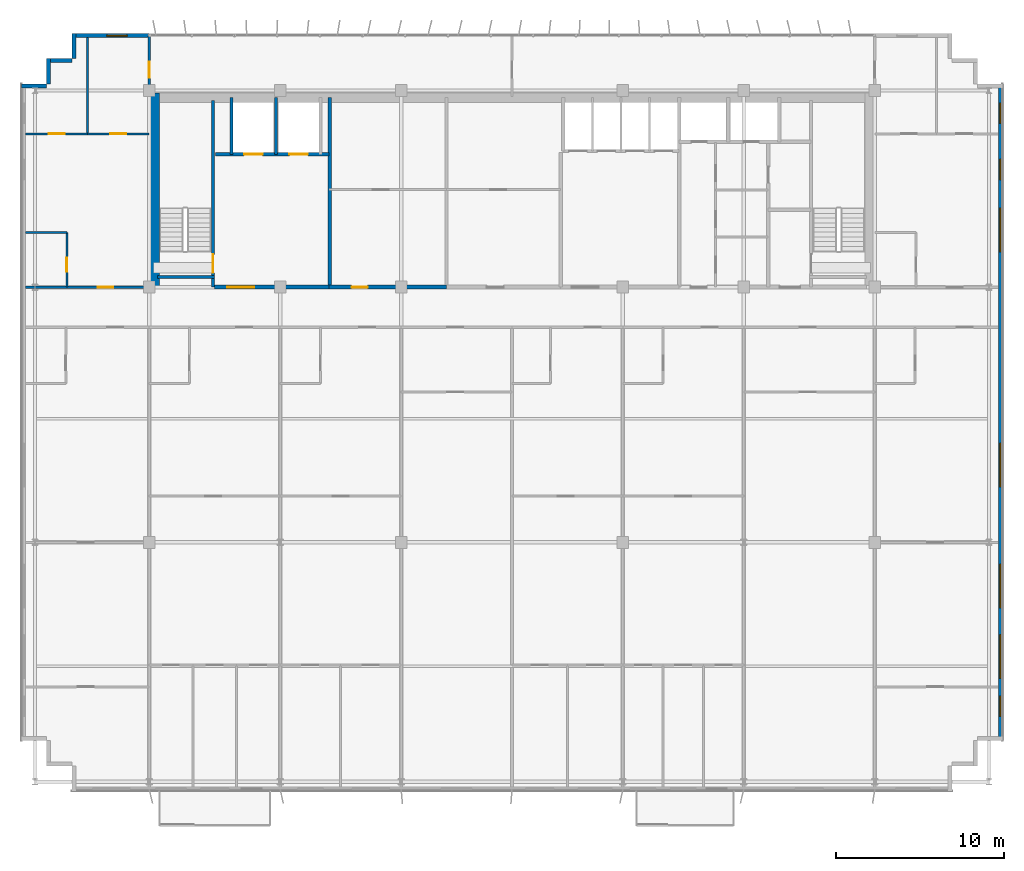
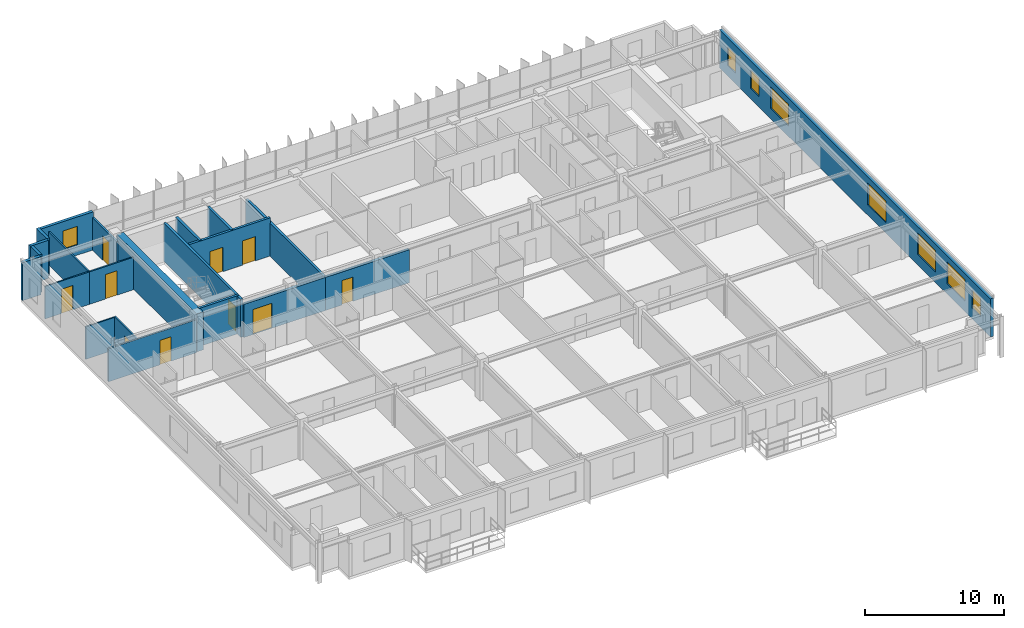
# One storey, part 19 of 23: 22 walls, 10 doors, 8 windows, 18 openings.
"""IFC4 building model written with IfcOpenShell, lengths in metres."""

from ifc_helpers import new_model, si_unit, direction, frame, frame_2d, origin, place, context, subcontext, project, spatial, rectangle, extrude, source, transform, mapped, material, layer, layer_set, type_object, element, fill, save


model = new_model("IFC4")

# Units and contexts
model_context = context("Model", 3, precision=1e-05, world=origin(), true_north=direction((0.0, 1.0)))
body_context = subcontext(model_context, "Body", "Model", "MODEL_VIEW")
ifc_project = project(units=[si_unit("LENGTHUNIT", "METRE"), si_unit("AREAUNIT", "SQUARE_METRE"), si_unit("VOLUMEUNIT", "CUBIC_METRE"), si_unit("PLANEANGLEUNIT", "RADIAN"), si_unit("MASSUNIT", "GRAM", prefix="KILO")], contexts=[model_context])

# Site, building, storey
site_placement = place(None, origin())
site = spatial("IfcSite", under=ifc_project, at=site_placement, CompositionType="ELEMENT")
building_placement = place(site_placement, origin())
building = spatial("IfcBuilding", under=site, at=building_placement, Name="Trelvane Seafront Commons", CompositionType="ELEMENT")
storey_placement = place(building_placement, frame((0.0, 0.0, 222.89990234375)))
storey = spatial("IfcBuildingStorey", under=building, at=storey_placement, Name="L58", CompositionType="ELEMENT", Elevation=222.89990234375)

# Wall, opening, window
ifc_material_1 = material(Name="Precast concrete C40/50", Category="concrete")
ifc_layer_1 = layer(ifc_material_1, 0.239990234375, Name="ARCH-WALL-EXT240")
ifc_layer_set_1 = layer_set([ifc_layer_1], Name="Precast concrete C40/50")
wall_type_1 = type_object("IfcWallType", Name="ARCH-WALL-EXT240", PredefinedType="SOLIDWALL", material=ifc_layer_set_1)
wall_1_placement = place(storey_placement, frame((11.10009765625, 48.3701171875, 0.0), z_axis=(0.0, 0.0, 1.0), x_axis=(1.0, 0.0, 0.0)))
wall_1 = element("IfcWall", 1, at=wall_1_placement, inside=storey, type_object=wall_type_1, Name="EW-L58-NW-1162", PredefinedType="SOLIDWALL", context=body_context, shape_type="SweptSolid", body=[
    extrude(rectangle(XDim=4.5, YDim=0.239990234375, at=frame_2d((2.25, 0.0))), origin(), (0.0, 0.0, 1.0), 3.360107421875),
])
opening_1_placement = place(wall_1_placement, frame((1.98291015625, 0.0, 0.89990234375)))
opening_1 = element("IfcOpeningElement", 2, at=opening_1_placement, cuts=wall_1, Name="Opening W05", PredefinedType="OPENING", context=body_context, shape_type="SweptSolid", body=[
    extrude(rectangle(XDim=1.199951171875, YDim=1.64990234375, at=frame_2d((0.60009765625, 0.824951171875))), frame((0.0, 0.1298828125, 0.0), z_axis=(0.0, -1.0, 0.0), x_axis=(1.0, 0.0, 0.0)), (0.0, 0.0, 1.0), 0.260009765625),
])
ifc_material_2 = material(Name="Low-E coastal double glazing", Category="glass")
window_type_1 = type_object("IfcWindowType", Name="ARCH-WIN-W05", PartitioningType="SINGLE_PANEL", PredefinedType="WINDOW", material=ifc_material_2)
shared_shape_1 = source(origin(), body_context, "Body", "SweptSolid", [
    extrude(rectangle(XDim=1.199951171875, YDim=1.64990234375, at=frame_2d((0.60009765625, 0.824951171875))), frame((0.0, 0.030029296875, 0.0), z_axis=(0.0, -1.0, 0.0), x_axis=(1.0, 0.0, 0.0)), (0.0, 0.0, 1.0), 0.06005859375),
])
window_1_placement = place(opening_1_placement, origin())
window_1 = element("IfcWindow", 3, at=window_1_placement, inside=storey, type_object=window_type_1, Name="WIN-L58-01409", OverallHeight=1.64990234375, OverallWidth=1.199951171875, PartitioningType="SINGLE_PANEL", PredefinedType="WINDOW", context=body_context, shape_type="MappedRepresentation", body=[
    mapped(shared_shape_1, transform((0.0, 0.0, 0.0), x_axis=(1.0, 0.0, 0.0), y_axis=(0.0, 1.0, 0.0), z_axis=(0.0, 0.0, 1.0), scale=1.0)),
])
fill(opening_1, window_1)

# Walls
for number, where, z_axis, x_axis, name in (
    (4, (8.0, 45.3798828125, 0.0), (0.0, 0.0, 1.0), (1.0, 0.0, 0.0), "EW-L58-01168"),
    (5, (9.6201171875, 45.5, 0.0), (0.0, 0.0, 1.0), (0.0, 1.0, 0.0), "EW-L58-01169"),
    (6, (9.5, 46.8798828125, 0.0), (0.0, 0.0, 1.0), (1.0, 0.0, 0.0), "EW-L58-01170"),
    (7, (11.1201171875, 47.0, 0.0), (0.0, 0.0, 1.0), (0.0, 1.0, 0.0), "EW-L58-01171"),
):
    element("IfcWall", number, at=place(storey_placement, frame(where, z_axis=z_axis, x_axis=x_axis)), inside=storey, type_object=wall_type_1, Name=name, PredefinedType="SOLIDWALL", context=body_context, shape_type="SweptSolid", body=[
        extrude(rectangle(XDim=1.5, YDim=0.239990234375, at=frame_2d((0.75, 0.0))), origin(), (0.0, 0.0, 1.0), 3.360107421875),
    ])

# Wall, openings, windows
wall_2_placement = place(storey_placement, frame((66.280029296875, 45.5, 0.0), z_axis=(0.0, 0.0, 1.0), x_axis=(0.0, -1.0, 0.0)))
wall_2 = element("IfcWall", 8, at=wall_2_placement, inside=storey, type_object=wall_type_1, Name="EW-L58-01176", PredefinedType="SOLIDWALL", context=body_context, shape_type="SweptSolid", body=[
    extrude(rectangle(XDim=39.10009765625, YDim=0.239990234375, at=frame_2d((19.550048828125, 0.0))), origin(), (0.0, 0.0, 1.0), 3.360107421875),
])
opening_2_placement = place(wall_2_placement, frame((36.449951171875, 0.0, 0.919921875)))
opening_2 = element("IfcOpeningElement", 9, at=opening_2_placement, cuts=wall_2, Name="Opening W05", PredefinedType="OPENING", context=body_context, shape_type="SweptSolid", body=[
    extrude(rectangle(XDim=1.199951171875, YDim=1.64990234375, at=frame_2d((0.60009765625, 0.824951171875))), frame((0.0, 0.1298828125, 0.0), z_axis=(0.0, -1.0, 0.0), x_axis=(1.0, 0.0, 0.0)), (0.0, 0.0, 1.0), 0.260009765625),
])
opening_3_placement = place(wall_2_placement, frame((32.800048828125, 0.0, 0.919921875)))
opening_3 = element("IfcOpeningElement", 10, at=opening_3_placement, cuts=wall_2, Name="Opening W04", PredefinedType="OPENING", context=body_context, shape_type="SweptSolid", body=[
    extrude(rectangle(XDim=2.60009765625, YDim=1.89990234375, at=frame_2d((1.300048828125, 0.949951171875))), frame((0.0, 0.1298828125, 0.0), z_axis=(0.0, -1.0, 0.0), x_axis=(1.0, 0.0, 0.0)), (0.0, 0.0, 1.0), 0.260009765625),
])
opening_4_placement = place(wall_2_placement, frame((28.60009765625, 0.0, 0.919921875)))
opening_4 = element("IfcOpeningElement", 11, at=opening_4_placement, cuts=wall_2, Name="Opening W04", PredefinedType="OPENING", context=body_context, shape_type="SweptSolid", body=[
    extrude(rectangle(XDim=2.60009765625, YDim=1.89990234375, at=frame_2d((1.300048828125, 0.949951171875))), frame((0.0, 0.1298828125, 0.0), z_axis=(0.0, -1.0, 0.0), x_axis=(1.0, 0.0, 0.0)), (0.0, 0.0, 1.0), 0.260009765625),
])
opening_5_placement = place(wall_2_placement, frame((21.39990234375, 0.0, 0.919921875)))
opening_5 = element("IfcOpeningElement", 12, at=opening_5_placement, cuts=wall_2, Name="Opening W04", PredefinedType="OPENING", context=body_context, shape_type="SweptSolid", body=[
    extrude(rectangle(XDim=2.60009765625, YDim=1.89990234375, at=frame_2d((1.300048828125, 0.949951171875))), frame((0.0, 0.1298828125, 0.0), z_axis=(0.0, -1.0, 0.0), x_axis=(1.0, 0.0, 0.0)), (0.0, 0.0, 1.0), 0.260009765625),
])
opening_6_placement = place(wall_2_placement, frame((7.39990234375, 0.0, 0.919921875)))
opening_6 = element("IfcOpeningElement", 13, at=opening_6_placement, cuts=wall_2, Name="Opening W04", PredefinedType="OPENING", context=body_context, shape_type="SweptSolid", body=[
    extrude(rectangle(XDim=2.60009765625, YDim=1.89990234375, at=frame_2d((1.300048828125, 0.949951171875))), frame((0.0, 0.1298828125, 0.0), z_axis=(0.0, -1.0, 0.0), x_axis=(1.0, 0.0, 0.0)), (0.0, 0.0, 1.0), 0.260009765625),
])
opening_7_placement = place(wall_2_placement, frame((4.5, 0.0, 0.919921875)))
opening_7 = element("IfcOpeningElement", 14, at=opening_7_placement, cuts=wall_2, Name="Opening W05", PredefinedType="OPENING", context=body_context, shape_type="SweptSolid", body=[
    extrude(rectangle(XDim=1.199951171875, YDim=1.64990234375, at=frame_2d((0.60009765625, 0.824951171875))), frame((0.0, 0.1298828125, 0.0), z_axis=(0.0, -1.0, 0.0), x_axis=(1.0, 0.0, 0.0)), (0.0, 0.0, 1.0), 0.260009765625),
])
opening_8_placement = place(wall_2_placement, frame((1.14990234375, 0.0, 0.919921875)))
opening_8 = element("IfcOpeningElement", 15, at=opening_8_placement, cuts=wall_2, Name="Opening W05", PredefinedType="OPENING", context=body_context, shape_type="SweptSolid", body=[
    extrude(rectangle(XDim=1.199951171875, YDim=1.64990234375, at=frame_2d((0.60009765625, 0.824951171875))), frame((0.0, 0.1298828125, 0.0), z_axis=(0.0, -1.0, 0.0), x_axis=(1.0, 0.0, 0.0)), (0.0, 0.0, 1.0), 0.260009765625),
])
window_type_2 = type_object("IfcWindowType", Name="ARCH-WIN-W04", PartitioningType="SINGLE_PANEL", PredefinedType="WINDOW", material=ifc_material_2)
shared_shape_2 = source(origin(), body_context, "Body", "SweptSolid", [
    extrude(rectangle(XDim=2.60009765625, YDim=1.89990234375, at=frame_2d((1.300048828125, 0.949951171875))), frame((0.0, 0.030029296875, 0.0), z_axis=(0.0, -1.0, 0.0), x_axis=(1.0, 0.0, 0.0)), (0.0, 0.0, 1.0), 0.06005859375),
])
window_2_placement = place(opening_3_placement, origin())
window_2 = element("IfcWindow", 16, at=window_2_placement, inside=storey, type_object=window_type_2, Name="WIN-L58-EW-01418", OverallHeight=1.89990234375, OverallWidth=2.60009765625, PartitioningType="SINGLE_PANEL", PredefinedType="WINDOW", context=body_context, shape_type="MappedRepresentation", body=[
    mapped(shared_shape_2, transform((0.0, 0.0, 0.0), x_axis=(1.0, 0.0, 0.0), y_axis=(0.0, 1.0, 0.0), z_axis=(0.0, 0.0, 1.0), scale=1.0)),
])
fill(opening_3, window_2)
window_3_placement = place(opening_4_placement, origin())
window_3 = element("IfcWindow", 17, at=window_3_placement, inside=storey, type_object=window_type_2, Name="WIN-L58-EW-01419", OverallHeight=1.89990234375, OverallWidth=2.60009765625, PartitioningType="SINGLE_PANEL", PredefinedType="WINDOW", context=body_context, shape_type="MappedRepresentation", body=[
    mapped(shared_shape_2, transform((0.0, 0.0, 0.0), x_axis=(1.0, 0.0, 0.0), y_axis=(0.0, 1.0, 0.0), z_axis=(0.0, 0.0, 1.0), scale=1.0)),
])
fill(opening_4, window_3)
window_4_placement = place(opening_5_placement, origin())
window_4 = element("IfcWindow", 18, at=window_4_placement, inside=storey, type_object=window_type_2, Name="WIN-L58-EW-01420", OverallHeight=1.89990234375, OverallWidth=2.60009765625, PartitioningType="SINGLE_PANEL", PredefinedType="WINDOW", context=body_context, shape_type="MappedRepresentation", body=[
    mapped(shared_shape_2, transform((0.0, 0.0, 0.0), x_axis=(1.0, 0.0, 0.0), y_axis=(0.0, 1.0, 0.0), z_axis=(0.0, 0.0, 1.0), scale=1.0)),
])
fill(opening_5, window_4)
window_5_placement = place(opening_6_placement, origin())
window_5 = element("IfcWindow", 19, at=window_5_placement, inside=storey, type_object=window_type_2, Name="WIN-L58-EW-01421", OverallHeight=1.89990234375, OverallWidth=2.60009765625, PartitioningType="SINGLE_PANEL", PredefinedType="WINDOW", context=body_context, shape_type="MappedRepresentation", body=[
    mapped(shared_shape_2, transform((0.0, 0.0, 0.0), x_axis=(1.0, 0.0, 0.0), y_axis=(0.0, 1.0, 0.0), z_axis=(0.0, 0.0, 1.0), scale=1.0)),
])
fill(opening_6, window_5)
window_6_placement = place(opening_2_placement, origin())
window_6 = element("IfcWindow", 20, at=window_6_placement, inside=storey, type_object=window_type_1, Name="WIN-L58-EW-01417", OverallHeight=1.64990234375, OverallWidth=1.199951171875, PartitioningType="SINGLE_PANEL", PredefinedType="WINDOW", context=body_context, shape_type="MappedRepresentation", body=[
    mapped(shared_shape_1, transform((0.0, 0.0, 0.0), x_axis=(1.0, 0.0, 0.0), y_axis=(0.0, 1.0, 0.0), z_axis=(0.0, 0.0, 1.0), scale=1.0)),
])
fill(opening_2, window_6)
window_7_placement = place(opening_7_placement, origin())
window_7 = element("IfcWindow", 21, at=window_7_placement, inside=storey, type_object=window_type_1, Name="WIN-L58-EW-01422", OverallHeight=1.64990234375, OverallWidth=1.199951171875, PartitioningType="SINGLE_PANEL", PredefinedType="WINDOW", context=body_context, shape_type="MappedRepresentation", body=[
    mapped(shared_shape_1, transform((0.0, 0.0, 0.0), x_axis=(1.0, 0.0, 0.0), y_axis=(0.0, 1.0, 0.0), z_axis=(0.0, 0.0, 1.0), scale=1.0)),
])
fill(opening_7, window_7)
window_8_placement = place(opening_8_placement, origin())
window_8 = element("IfcWindow", 22, at=window_8_placement, inside=storey, type_object=window_type_1, Name="WIN-L58-EW-01423", OverallHeight=1.64990234375, OverallWidth=1.199951171875, PartitioningType="SINGLE_PANEL", PredefinedType="WINDOW", context=body_context, shape_type="MappedRepresentation", body=[
    mapped(shared_shape_1, transform((0.0, 0.0, 0.0), x_axis=(1.0, 0.0, 0.0), y_axis=(0.0, 1.0, 0.0), z_axis=(0.0, 0.0, 1.0), scale=1.0)),
])
fill(opening_8, window_8)

# Wall, opening, door
ifc_material_3 = material(Name="Concrete C40/50", Category="concrete")
ifc_layer_2 = layer(ifc_material_3, 0.25, Name="ARCH-WALL-FIRE250")
ifc_layer_set_2 = layer_set([ifc_layer_2], Name="Concrete C40/50")
wall_type_2 = type_object("IfcWallType", Name="ARCH-WALL-FIRE250", PredefinedType="PARTITIONING", material=ifc_layer_set_2)
wall_3_placement = place(storey_placement, frame((19.5, 33.39990234375, 0.0), z_axis=(0.0, 0.0, 1.0), x_axis=(1.0, 0.0, 0.0)))
wall_3 = element("IfcWall", 23, at=wall_3_placement, inside=storey, type_object=wall_type_2, Name="W-L58-CS-FFL-013", PredefinedType="PARTITIONING", context=body_context, shape_type="SweptSolid", body=[
    extrude(rectangle(XDim=6.800048828125, YDim=0.25, at=frame_2d((3.39990234375, 0.0))), origin(), (0.0, 0.0, 1.0), 2.91015625),
])
opening_9_placement = place(wall_3_placement, frame((0.75, 0.0, 0.0)))
opening_9 = element("IfcOpeningElement", 24, at=opening_9_placement, cuts=wall_3, Name="Opening FD-L58-05", PredefinedType="OPENING", context=body_context, shape_type="SweptSolid", body=[
    extrude(rectangle(XDim=1.60009765625, YDim=2.199951171875, at=frame_2d((0.800048828125, 1.10009765625))), frame((0.0, 0.135009765625, 0.0), z_axis=(0.0, -1.0, 0.0), x_axis=(1.0, 0.0, 0.0)), (0.0, 0.0, 1.0), 0.27001953125),
])
ifc_material_4 = material(Name="Powder-coated aluminium frame", Category="aluminium")
door_type_1 = type_object("IfcDoorType", Name="ARCH-DR-FD60-1600", OperationType="DOUBLE_DOOR_SINGLE_SWING", PredefinedType="DOOR", material=ifc_material_4)
shared_shape_3 = source(origin(), body_context, "Body", "SweptSolid", [
    extrude(rectangle(XDim=1.60009765625, YDim=2.199951171875, at=frame_2d((0.800048828125, 1.10009765625))), frame((0.0, 0.02490234375, 0.0), z_axis=(0.0, -1.0, 0.0), x_axis=(1.0, 0.0, 0.0)), (0.0, 0.0, 1.0), 0.050048828125),
])
door_1_placement = place(opening_9_placement, origin())
door_1 = element("IfcDoor", 25, at=door_1_placement, inside=storey, type_object=door_type_1, Name="L58 Firefighting Lift Lobby Double Fire Door", OperationType="DOUBLE_DOOR_SINGLE_SWING", OverallHeight=2.199951171875, OverallWidth=1.60009765625, PredefinedType="DOOR", context=body_context, shape_type="MappedRepresentation", body=[
    mapped(shared_shape_3, transform((0.0, 0.0, 0.0), x_axis=(1.0, 0.0, 0.0), y_axis=(0.0, 1.0, 0.0), z_axis=(0.0, 0.0, 1.0), scale=1.0)),
])
fill(opening_9, door_1)

wall_4_placement = place(storey_placement, frame((26.300048828125, 33.39990234375, 0.0), z_axis=(0.0, 0.0, 1.0), x_axis=(1.0, 0.0, 0.0)))
wall_4 = element("IfcWall", 26, at=wall_4_placement, inside=storey, type_object=wall_type_2, Name="W-L58-CS-FPL-024", PredefinedType="PARTITIONING", context=body_context, shape_type="SweptSolid", body=[
    extrude(rectangle(XDim=7.0, YDim=0.25, at=frame_2d((3.5, 0.0))), origin(), (0.0, 0.0, 1.0), 2.91015625),
])
opening_10_placement = place(wall_4_placement, frame((1.35009765625, 0.0, 0.0)))
opening_10 = element("IfcOpeningElement", 27, at=opening_10_placement, cuts=wall_4, Name="Opening D-L58-12", PredefinedType="OPENING", context=body_context, shape_type="SweptSolid", body=[
    extrude(rectangle(XDim=0.949951171875, YDim=2.14990234375, at=frame_2d((0.47509765625, 1.074951171875))), frame((0.0, 0.135009765625, 0.0), z_axis=(0.0, -1.0, 0.0), x_axis=(1.0, 0.0, 0.0)), (0.0, 0.0, 1.0), 0.27001953125),
])
ifc_material_5 = material(Name="Acoustic timber door leaf", Category="wood")
door_type_2 = type_object("IfcDoorType", Name="ARCH-DR-INT950", OperationType="NOTDEFINED", PredefinedType="DOOR", material=ifc_material_5)
shared_shape_4 = source(origin(), body_context, "Body", "SweptSolid", [
    extrude(rectangle(XDim=0.949951171875, YDim=2.14990234375, at=frame_2d((0.47509765625, 1.074951171875))), frame((0.0, 0.02490234375, 0.0), z_axis=(0.0, -1.0, 0.0), x_axis=(1.0, 0.0, 0.0)), (0.0, 0.0, 1.0), 0.050048828125),
])
door_2_placement = place(opening_10_placement, origin())
door_2 = element("IfcDoor", 28, at=door_2_placement, inside=storey, type_object=door_type_2, Name="L58 Floor Pantry Entrance Door", OperationType="SINGLE_SWING_RIGHT", OverallHeight=2.14990234375, OverallWidth=0.949951171875, PredefinedType="DOOR", context=body_context, shape_type="MappedRepresentation", body=[
    mapped(shared_shape_4, transform((0.0, 0.0, 0.0), x_axis=(1.0, 0.0, 0.0), y_axis=(0.0, 1.0, 0.0), z_axis=(0.0, 0.0, 1.0), scale=1.0)),
])
fill(opening_10, door_2)

ifc_material_6 = material(Name="Gypsum Drywall Acoustic Partition")
ifc_layer_3 = layer(ifc_material_6, 0.1201171875, Name="ARCH-WALL-PART120")
ifc_layer_set_3 = layer_set([ifc_layer_3], Name="Gypsum Drywall Acoustic Partition")
wall_type_3 = type_object("IfcWallType", Name="ARCH-WALL-PART120", PredefinedType="PARTITIONING", material=ifc_layer_set_3)
wall_5_placement = place(storey_placement, frame((10.699951171875, 33.39990234375, 0.0), z_axis=(0.0, 0.0, 1.0), x_axis=(0.0, 1.0, 0.0)))
wall_5 = element("IfcWall", 29, at=wall_5_placement, inside=storey, type_object=wall_type_3, Name="W-L58-NW-BE-036", PredefinedType="PARTITIONING", context=body_context, shape_type="SweptSolid", body=[
    extrude(rectangle(XDim=3.25, YDim=0.1201171875, at=frame_2d((1.625, 0.0))), origin(), (0.0, 0.0, 1.0), 2.91015625),
])
opening_11_placement = place(wall_5_placement, frame((0.89990234375, 0.0, 0.0)))
opening_11 = element("IfcOpeningElement", 30, at=opening_11_placement, cuts=wall_5, Name="Opening D-L58-23", PredefinedType="OPENING", context=body_context, shape_type="SweptSolid", body=[
    extrude(rectangle(XDim=0.85009765625, YDim=2.10009765625, at=frame_2d((0.425048828125, 1.050048828125))), frame((0.0, 0.070068359375, 0.0), z_axis=(0.0, -1.0, 0.0), x_axis=(1.0, 0.0, 0.0)), (0.0, 0.0, 1.0), 0.14013671875),
])
door_type_3 = type_object("IfcDoorType", Name="ARCH-DR-INT850", OperationType="NOTDEFINED", PredefinedType="DOOR", material=ifc_material_5)
shared_shape_5 = source(origin(), body_context, "Body", "SweptSolid", [
    extrude(rectangle(XDim=0.85009765625, YDim=2.10009765625, at=frame_2d((0.425048828125, 1.050048828125))), frame((0.0, 0.02490234375, 0.0), z_axis=(0.0, -1.0, 0.0), x_axis=(1.0, 0.0, 0.0)), (0.0, 0.0, 1.0), 0.050048828125),
])
door_3_placement = place(opening_11_placement, origin())
door_3 = element("IfcDoor", 31, at=door_3_placement, inside=storey, type_object=door_type_3, Name="L58 Door 23", OperationType="SINGLE_SWING_LEFT", OverallHeight=2.10009765625, OverallWidth=0.85009765625, PredefinedType="DOOR", context=body_context, shape_type="MappedRepresentation", body=[
    mapped(shared_shape_5, transform((0.0, 0.0, 0.0), x_axis=(1.0, 0.0, 0.0), y_axis=(0.0, 1.0, 0.0), z_axis=(0.0, 0.0, 1.0), scale=1.0)),
])
fill(opening_11, door_3)

# Wall
wall_6_placement = place(storey_placement, frame((8.25, 36.64990234375, 0.0), z_axis=(0.0, 0.0, 1.0), x_axis=(1.0, 0.0, 0.0)))
element("IfcWall", 32, at=wall_6_placement, inside=storey, type_object=wall_type_3, Name="W-L58-NW-BN-037", PredefinedType="PARTITIONING", context=body_context, shape_type="SweptSolid", body=[
    extrude(rectangle(XDim=2.449951171875, YDim=0.1201171875, at=frame_2d((1.22509765625, 0.0))), origin(), (0.0, 0.0, 1.0), 2.860107421875),
])

# Wall, opening, door
wall_7_placement = place(storey_placement, frame((8.25, 42.52001953125, 0.0), z_axis=(0.0, 0.0, 1.0), x_axis=(1.0, 0.0, 0.0)))
wall_7 = element("IfcWall", 33, at=wall_7_placement, inside=storey, type_object=wall_type_3, Name="W-L58-NW-KB1-038", PredefinedType="PARTITIONING", context=body_context, shape_type="SweptSolid", body=[
    extrude(rectangle(XDim=3.675048828125, YDim=0.1201171875, at=frame_2d((1.83740234375, 0.0))), origin(), (0.0, 0.0, 1.0), 2.860107421875),
])
opening_12_placement = place(wall_7_placement, frame((1.363037109375, 0.0, 0.0)))
opening_12 = element("IfcOpeningElement", 34, at=opening_12_placement, cuts=wall_7, Name="Opening D-L58-24", PredefinedType="OPENING", context=body_context, shape_type="SweptSolid", body=[
    extrude(rectangle(XDim=0.949951171875, YDim=2.14990234375, at=frame_2d((0.47509765625, 1.074951171875))), frame((0.0, 0.070068359375, 0.0), z_axis=(0.0, -1.0, 0.0), x_axis=(1.0, 0.0, 0.0)), (0.0, 0.0, 1.0), 0.14013671875),
])
door_4_placement = place(opening_12_placement, origin())
door_4 = element("IfcDoor", 35, at=door_4_placement, inside=storey, type_object=door_type_2, Name="L58 Door 24", OperationType="SINGLE_SWING_RIGHT", OverallHeight=2.14990234375, OverallWidth=0.949951171875, PredefinedType="DOOR", context=body_context, shape_type="MappedRepresentation", body=[
    mapped(shared_shape_4, transform((0.0, 0.0, 0.0), x_axis=(1.0, 0.0, 0.0), y_axis=(0.0, 1.0, 0.0), z_axis=(0.0, 0.0, 1.0), scale=1.0)),
])
fill(opening_12, door_4)

wall_8_placement = place(storey_placement, frame((11.925048828125, 42.52001953125, 0.0), z_axis=(0.0, 0.0, 1.0), x_axis=(1.0, 0.0, 0.0)))
wall_8 = element("IfcWall", 36, at=wall_8_placement, inside=storey, type_object=wall_type_3, Name="W-L58-NW-KB2-039", PredefinedType="PARTITIONING", context=body_context, shape_type="SweptSolid", body=[
    extrude(rectangle(XDim=3.675048828125, YDim=0.1201171875, at=frame_2d((1.83740234375, 0.0))), origin(), (0.0, 0.0, 1.0), 2.860107421875),
])
opening_13_placement = place(wall_8_placement, frame((1.362060546875, 0.0, 0.0)))
opening_13 = element("IfcOpeningElement", 37, at=opening_13_placement, cuts=wall_8, Name="Opening D-L58-25", PredefinedType="OPENING", context=body_context, shape_type="SweptSolid", body=[
    extrude(rectangle(XDim=0.949951171875, YDim=2.14990234375, at=frame_2d((0.47509765625, 1.074951171875))), frame((0.0, 0.070068359375, 0.0), z_axis=(0.0, -1.0, 0.0), x_axis=(1.0, 0.0, 0.0)), (0.0, 0.0, 1.0), 0.14013671875),
])
door_5_placement = place(opening_13_placement, origin())
door_5 = element("IfcDoor", 38, at=door_5_placement, inside=storey, type_object=door_type_2, Name="L58 Door 25", OperationType="SINGLE_SWING_LEFT", OverallHeight=2.14990234375, OverallWidth=0.949951171875, PredefinedType="DOOR", context=body_context, shape_type="MappedRepresentation", body=[
    mapped(shared_shape_4, transform((0.0, 0.0, 0.0), x_axis=(1.0, 0.0, 0.0), y_axis=(0.0, 1.0, 0.0), z_axis=(0.0, 0.0, 1.0), scale=1.0)),
])
fill(opening_13, door_5)

# Wall
wall_9_placement = place(storey_placement, frame((11.925048828125, 42.52001953125, 0.0), z_axis=(0.0, 0.0, 1.0), x_axis=(0.0, 1.0, 0.0)))
element("IfcWall", 39, at=wall_9_placement, inside=storey, type_object=wall_type_3, Name="W-L58-NW-KBDV-040", PredefinedType="PARTITIONING", context=body_context, shape_type="SweptSolid", body=[
    extrude(rectangle(XDim=5.739990234375, YDim=0.1201171875, at=frame_2d((2.8701171875, 0.0))), origin(), (0.0, 0.0, 1.0), 2.91015625),
])

# Wall, opening, door
ifc_layer_4 = layer(ifc_material_6, 0.14990234375, Name="ARCH-WALL-PART150")
ifc_layer_set_4 = layer_set([ifc_layer_4], Name="Gypsum Drywall Acoustic Partition")
wall_type_4 = type_object("IfcWallType", Name="ARCH-WALL-PART150", PredefinedType="PARTITIONING", material=ifc_layer_set_4)
wall_10_placement = place(storey_placement, frame((8.25, 33.39990234375, 0.0), z_axis=(0.0, 0.0, 1.0), x_axis=(1.0, 0.0, 0.0)))
wall_10 = element("IfcWall", 40, at=wall_10_placement, inside=storey, type_object=wall_type_4, Name="W-L58-NW-ENT-041", PredefinedType="PARTITIONING", context=body_context, shape_type="SweptSolid", body=[
    extrude(rectangle(XDim=7.35009765625, YDim=0.14990234375, at=frame_2d((3.675048828125, 0.0))), origin(), (0.0, 0.0, 1.0), 2.91015625),
])
opening_14_placement = place(wall_10_placement, frame((4.27490234375, 0.0, 0.0)))
opening_14 = element("IfcOpeningElement", 41, at=opening_14_placement, cuts=wall_10, Name="Opening FD-L58-26", PredefinedType="OPENING", context=body_context, shape_type="SweptSolid", body=[
    extrude(rectangle(XDim=0.949951171875, YDim=2.14990234375, at=frame_2d((0.47509765625, 1.074951171875))), frame((0.0, 0.0849609375, 0.0), z_axis=(0.0, -1.0, 0.0), x_axis=(1.0, 0.0, 0.0)), (0.0, 0.0, 1.0), 0.169921875),
])
door_type_4 = type_object("IfcDoorType", Name="ARCH-DR-FD60-950", OperationType="NOTDEFINED", PredefinedType="DOOR", material=ifc_material_4)
door_6_placement = place(opening_14_placement, origin())
door_6 = element("IfcDoor", 42, at=door_6_placement, inside=storey, type_object=door_type_4, Name="L58 NW Flat Entrance Door", OperationType="SINGLE_SWING_RIGHT", OverallHeight=2.14990234375, OverallWidth=0.949951171875, PredefinedType="DOOR", context=body_context, shape_type="MappedRepresentation", body=[
    mapped(shared_shape_4, transform((0.0, 0.0, 0.0), x_axis=(1.0, 0.0, 0.0), y_axis=(0.0, 1.0, 0.0), z_axis=(0.0, 0.0, 1.0), scale=1.0)),
])
fill(opening_14, door_6)

wall_11_placement = place(storey_placement, frame((15.60009765625, 44.75, 0.0), z_axis=(0.0, 0.0, 1.0), x_axis=(0.0, 1.0, 0.0)))
wall_11 = element("IfcWall", 43, at=wall_11_placement, inside=storey, type_object=wall_type_4, Name="W-L58-N-LINK-W-049", PredefinedType="PARTITIONING", context=body_context, shape_type="SweptSolid", body=[
    extrude(rectangle(XDim=3.610107421875, YDim=0.14990234375, at=frame_2d((1.80517578125, 0.0))), origin(), (0.0, 0.0, 1.0), 2.860107421875),
])
opening_15_placement = place(wall_11_placement, frame((1.10009765625, 0.0, 0.0)))
opening_15 = element("IfcOpeningElement", 44, at=opening_15_placement, cuts=wall_11, Name="Opening FD-L58-32", PredefinedType="OPENING", context=body_context, shape_type="SweptSolid", body=[
    extrude(rectangle(XDim=0.949951171875, YDim=2.14990234375, at=frame_2d((0.47509765625, 1.074951171875))), frame((0.0, 0.0849609375, 0.0), z_axis=(0.0, -1.0, 0.0), x_axis=(1.0, 0.0, 0.0)), (0.0, 0.0, 1.0), 0.169921875),
])
door_7_placement = place(opening_15_placement, origin())
door_7 = element("IfcDoor", 45, at=door_7_placement, inside=storey, type_object=door_type_4, Name="L58 Door 32", OperationType="SINGLE_SWING_RIGHT", OverallHeight=2.14990234375, OverallWidth=0.949951171875, PredefinedType="DOOR", context=body_context, shape_type="MappedRepresentation", body=[
    mapped(shared_shape_4, transform((0.0, 0.0, 0.0), x_axis=(1.0, 0.0, 0.0), y_axis=(0.0, 1.0, 0.0), z_axis=(0.0, 0.0, 1.0), scale=1.0)),
])
fill(opening_15, door_7)

# Wall, openings, doors
ifc_layer_5 = layer(ifc_material_3, 0.199951171875, Name="ARCH-WALL-SHAFT200")
ifc_layer_set_5 = layer_set([ifc_layer_5], Name="Concrete C40/50")
wall_type_5 = type_object("IfcWallType", Name="ARCH-WALL-SHAFT200", PredefinedType="SOLIDWALL", material=ifc_layer_set_5)
wall_12_placement = place(storey_placement, frame((19.550048828125, 41.300048828125, 0.0), z_axis=(0.0, 0.0, 1.0), x_axis=(1.0, 0.0, 0.0)))
wall_12 = element("IfcWall", 46, at=wall_12_placement, inside=storey, type_object=wall_type_5, Name="W-L58-FFL-FRONT-008", PredefinedType="SOLIDWALL", context=body_context, shape_type="SweptSolid", body=[
    extrude(rectangle(XDim=6.75, YDim=0.199951171875, at=frame_2d((3.375, 0.0))), origin(), (0.0, 0.0, 1.0), 3.360107421875),
])
opening_16_placement = place(wall_12_placement, frame((1.699951171875, 0.0, 0.0)))
opening_16 = element("IfcOpeningElement", 47, at=opening_16_placement, cuts=wall_12, Name="Opening LD-FF1-L58", PredefinedType="OPENING", context=body_context, shape_type="SweptSolid", body=[
    extrude(rectangle(XDim=1.10009765625, YDim=2.14990234375, at=frame_2d((0.550048828125, 1.074951171875))), frame((0.0, 0.10986328125, 0.0), z_axis=(0.0, -1.0, 0.0), x_axis=(1.0, 0.0, 0.0)), (0.0, 0.0, 1.0), 0.219970703125),
])
opening_17_placement = place(wall_12_placement, frame((4.39990234375, 0.0, 0.0)))
opening_17 = element("IfcOpeningElement", 48, at=opening_17_placement, cuts=wall_12, Name="Opening LD-FF2-L58", PredefinedType="OPENING", context=body_context, shape_type="SweptSolid", body=[
    extrude(rectangle(XDim=1.10009765625, YDim=2.14990234375, at=frame_2d((0.550048828125, 1.074951171875))), frame((0.0, 0.10986328125, 0.0), z_axis=(0.0, -1.0, 0.0), x_axis=(1.0, 0.0, 0.0)), (0.0, 0.0, 1.0), 0.219970703125),
])
ifc_material_7 = material(Name="Stainless steel balustrade", Category="steel")
door_type_5 = type_object("IfcDoorType", Name="ARCH-DR-LD1100", OperationType="DOUBLE_DOOR_SLIDING", PredefinedType="DOOR", material=ifc_material_7)
shared_shape_6 = source(origin(), body_context, "Body", "SweptSolid", [
    extrude(rectangle(XDim=1.10009765625, YDim=2.14990234375, at=frame_2d((0.550048828125, 1.074951171875))), frame((0.0, 0.02490234375, 0.0), z_axis=(0.0, -1.0, 0.0), x_axis=(1.0, 0.0, 0.0)), (0.0, 0.0, 1.0), 0.050048828125),
])
door_8_placement = place(opening_16_placement, origin())
door_8 = element("IfcDoor", 49, at=door_8_placement, inside=storey, type_object=door_type_5, Name="L58 Firefighting Lift FFL-1 Landing Door", OperationType="DOUBLE_DOOR_SLIDING", OverallHeight=2.14990234375, OverallWidth=1.10009765625, PredefinedType="DOOR", context=body_context, shape_type="MappedRepresentation", body=[
    mapped(shared_shape_6, transform((0.0, 0.0, 0.0), x_axis=(1.0, 0.0, 0.0), y_axis=(0.0, 1.0, 0.0), z_axis=(0.0, 0.0, 1.0), scale=1.0)),
])
fill(opening_16, door_8)
door_9_placement = place(opening_17_placement, origin())
door_9 = element("IfcDoor", 50, at=door_9_placement, inside=storey, type_object=door_type_5, Name="L58 Firefighting Lift FFL-2 Landing Door", OperationType="DOUBLE_DOOR_SLIDING", OverallHeight=2.14990234375, OverallWidth=1.10009765625, PredefinedType="DOOR", context=body_context, shape_type="MappedRepresentation", body=[
    mapped(shared_shape_6, transform((0.0, 0.0, 0.0), x_axis=(1.0, 0.0, 0.0), y_axis=(0.0, 1.0, 0.0), z_axis=(0.0, 0.0, 1.0), scale=1.0)),
])
fill(opening_17, door_9)

# Walls
for number, where, z_axis, x_axis, name in (
    (51, (20.5, 41.300048828125, 0.0), (0.0, 0.0, 1.0), (0.0, 1.0, 0.0), "W-L58-FFL-SH-W-009"),
    (52, (23.14990234375, 41.300048828125, 0.0), (0.0, 0.0, 1.0), (0.0, 1.0, 0.0), "W-L58-FFL-DIV-010"),
):
    element("IfcWall", number, at=place(storey_placement, frame(where, z_axis=z_axis, x_axis=x_axis)), inside=storey, type_object=wall_type_5, Name=name, PredefinedType="SOLIDWALL", context=body_context, shape_type="SweptSolid", body=[
        extrude(rectangle(XDim=3.39990234375, YDim=0.199951171875, at=frame_2d((1.699951171875, 0.0))), origin(), (0.0, 0.0, 1.0), 3.360107421875),
    ])
wall_13_placement = place(storey_placement, frame((26.35009765625, 33.39990234375, 0.0), z_axis=(0.0, 0.0, 1.0), x_axis=(0.0, 1.0, 0.0)))
element("IfcWall", 53, at=wall_13_placement, inside=storey, type_object=wall_type_5, Name="W-L58-FFL-EAST-012", PredefinedType="SOLIDWALL", context=body_context, shape_type="SweptSolid", body=[
    extrude(rectangle(XDim=11.300048828125, YDim=0.199951171875, at=frame_2d((5.64990234375, 0.0))), origin(), (0.0, 0.0, 1.0), 2.91015625),
])
ifc_material_8 = material(Name="Concrete C50/60", Category="concrete")
ifc_layer_6 = layer(ifc_material_8, 0.550048828125, Name="STR-WALL-CORE550")
ifc_layer_set_6 = layer_set([ifc_layer_6], Name="Concrete C50/60")
wall_type_6 = type_object("IfcWallType", Name="STR-WALL-CORE550", PredefinedType="SHEAR", material=ifc_layer_set_6)
wall_14_placement = place(storey_placement, frame((15.925048828125, 33.39990234375, 0.0), z_axis=(0.0, 0.0, 1.0), x_axis=(0.0, 1.0, 0.0)))
element("IfcWall", 54, at=wall_14_placement, inside=storey, type_object=wall_type_6, Name="W-L58-CW-END-002", PredefinedType="SHEAR", context=body_context, shape_type="SweptSolid", body=[
    extrude(rectangle(XDim=11.550048828125, YDim=0.550048828125, at=frame_2d((5.77490234375, 0.0))), origin(), (0.0, 0.0, 1.0), 3.360107421875),
])
ifc_layer_7 = layer(ifc_material_8, 0.199951171875, Name="STR-WALL-STAIR200")
ifc_layer_set_7 = layer_set([ifc_layer_7], Name="Concrete C50/60")
wall_type_7 = type_object("IfcWallType", Name="STR-WALL-STAIR200", PredefinedType="SHEAR", material=ifc_layer_set_7)
wall_15_placement = place(storey_placement, frame((16.10009765625, 34.0, 0.0), z_axis=(0.0, 0.0, 1.0), x_axis=(1.0, 0.0, 0.0)))
element("IfcWall", 55, at=wall_15_placement, inside=storey, type_object=wall_type_7, Name="W-L58-ST1-S-004", PredefinedType="SHEAR", context=body_context, shape_type="SweptSolid", body=[
    extrude(rectangle(XDim=3.39990234375, YDim=0.199951171875, at=frame_2d((1.699951171875, 0.0))), origin(), (0.0, 0.0, 1.0), 3.360107421875),
])

# Wall, opening, door
wall_16_placement = place(storey_placement, frame((19.39990234375, 33.39990234375, 0.0), z_axis=(0.0, 0.0, 1.0), x_axis=(0.0, 1.0, 0.0)))
wall_16 = element("IfcWall", 56, at=wall_16_placement, inside=storey, type_object=wall_type_7, Name="W-L58-ST1-E-005", PredefinedType="SHEAR", context=body_context, shape_type="SweptSolid", body=[
    extrude(rectangle(XDim=11.10009765625, YDim=0.199951171875, at=frame_2d((5.550048828125, 0.0))), origin(), (0.0, 0.0, 1.0), 3.360107421875),
])
opening_18_placement = place(wall_16_placement, frame((0.85009765625, 0.0, 0.0)))
opening_18 = element("IfcOpeningElement", 57, at=opening_18_placement, cuts=wall_16, Name="Opening ST-D1-L58", PredefinedType="OPENING", context=body_context, shape_type="SweptSolid", body=[
    extrude(rectangle(XDim=1.10009765625, YDim=2.14990234375, at=frame_2d((0.550048828125, 1.074951171875))), frame((0.0, 0.10986328125, 0.0), z_axis=(0.0, -1.0, 0.0), x_axis=(1.0, 0.0, 0.0)), (0.0, 0.0, 1.0), 0.219970703125),
])
door_type_6 = type_object("IfcDoorType", Name="ARCH-DR-FD90-1100", OperationType="NOTDEFINED", PredefinedType="DOOR", material=ifc_material_4)
door_10_placement = place(opening_18_placement, origin())
door_10 = element("IfcDoor", 58, at=door_10_placement, inside=storey, type_object=door_type_6, Name="L58 Stair ST-1 Lobby Fire Door", OperationType="SINGLE_SWING_LEFT", OverallHeight=2.14990234375, OverallWidth=1.10009765625, PredefinedType="DOOR", context=body_context, shape_type="MappedRepresentation", body=[
    mapped(shared_shape_6, transform((0.0, 0.0, 0.0), x_axis=(1.0, 0.0, 0.0), y_axis=(0.0, 1.0, 0.0), z_axis=(0.0, 0.0, 1.0), scale=1.0)),
])
fill(opening_18, door_10)

save(model, "model.ifc")
